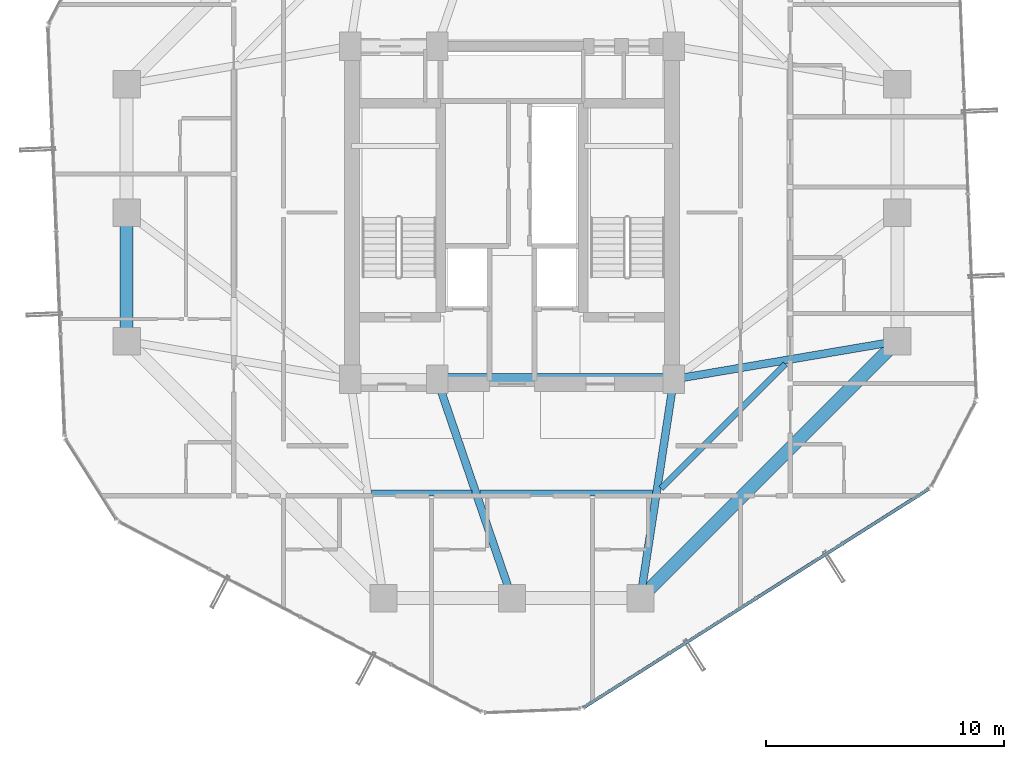
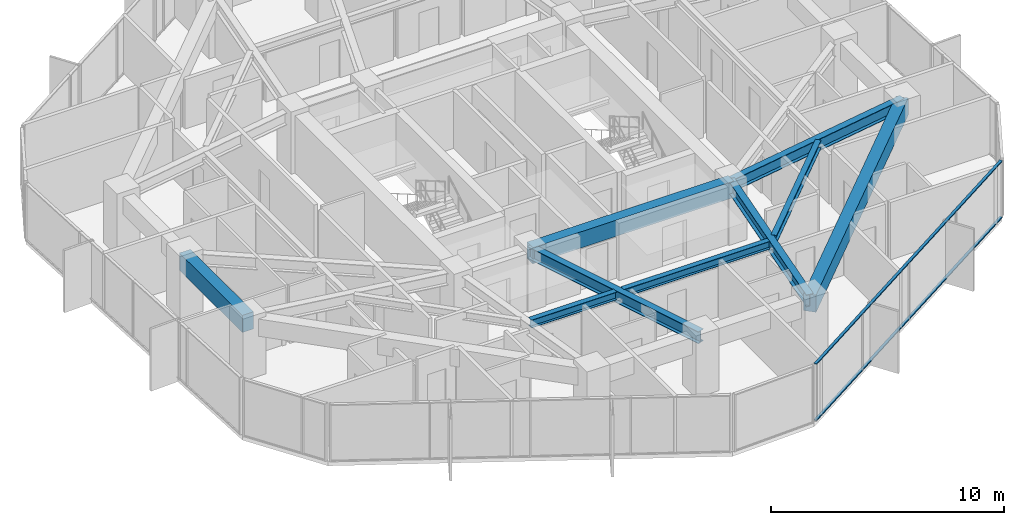
# One storey, part 8 of 32: 9 beams, 2 members, 1 element without a shape of its own.
"""IFC4 building model written with IfcOpenShell, lengths in metres."""

from ifc_helpers import new_model, si_unit, direction, frame, origin, origin_2d, place, context, subcontext, project, spatial, rectangle, hollow_rectangle, i_section, extrude, source, transform, mapped, material, layer, layer_set, material_profile, profile_set, type_object, element, aggregate, save


model = new_model("IFC4")

# Units and contexts
model_context = context("Model", 3, precision=1e-05, world=origin(), true_north=direction((0.0, 1.0)))
body_context = subcontext(model_context, "Body", "Model", "MODEL_VIEW")
ifc_project = project(units=[si_unit("LENGTHUNIT", "METRE"), si_unit("AREAUNIT", "SQUARE_METRE"), si_unit("VOLUMEUNIT", "CUBIC_METRE"), si_unit("PLANEANGLEUNIT", "RADIAN"), si_unit("MASSUNIT", "GRAM", prefix="KILO")], contexts=[model_context])

# Site, building, storey
site_placement = place(None, origin())
site = spatial("IfcSite", under=ifc_project, at=site_placement, CompositionType="ELEMENT")
building_placement = place(site_placement, origin())
building = spatial("IfcBuilding", under=site, at=building_placement, Name="Veraguas Prism Commons", CompositionType="ELEMENT")
storey_placement = place(building_placement, frame((0.0, 0.0, 136.0)))
storey = spatial("IfcBuildingStorey", under=building, at=storey_placement, Name="L38", CompositionType="ELEMENT", Elevation=136.0)

# Beams
ifc_material_1 = material(Name="Concrete C50/60", Category="concrete")
ifc_material_profile_1 = material_profile(ifc_material_1, rectangle(XDim=0.5, YDim=0.85009765625, at=origin_2d()), Name="RC500X850")
ifc_profile_set_1 = profile_set([ifc_material_profile_1], Name="Concrete C50/60")
beam_type_1 = type_object("IfcBeamType", Name="Core Coupling Beam RC 500x850", PredefinedType="BEAM", material=ifc_profile_set_1)
beam_1_placement = place(storey_placement, frame((20.85009765625, 17.0, 2.574951171875), z_axis=(1.0, 0.0, 0.0), x_axis=(0.0, 1.0, 0.0)))
element("IfcBeam", 1, at=beam_1_placement, inside=storey, type_object=beam_type_1, Name="Core Coupling Beam L38-CRS2", PredefinedType="BEAM", context=body_context, shape_type="SweptSolid", body=[
    extrude(rectangle(XDim=0.5, YDim=0.85009765625, at=origin_2d()), origin(), (0.0, 0.0, 1.0), 9.949951171875),
])
ifc_material_2 = material(Name="Steel ASTM A992 Grade 50", Category="steel")
ifc_material_profile_2 = material_profile(ifc_material_2, i_section(OverallWidth=0.260986328125, OverallDepth=0.419921875, WebThickness=0.01171875, FlangeThickness=0.019287109375, at=origin_2d()), Name="W410X114")
ifc_profile_set_2 = profile_set([ifc_material_profile_2], Name="Steel ASTM A992 Grade 50")
beam_type_2 = type_object("IfcBeamType", Name="Lower Floor Joist W410x114", PredefinedType="JOIST", material=ifc_profile_set_2)
beam_2_placement = place(storey_placement, frame((18.091796875, 12.216064453125, 2.7900390625), z_axis=(1.0, 0.0, 0.0), x_axis=(0.0, 1.0, 0.0)))
element("IfcBeam", 2, at=beam_2_placement, inside=storey, type_object=beam_type_2, Name="Composite Floor Joist L38-JS10", PredefinedType="JOIST", context=body_context, shape_type="SweptSolid", body=[
    extrude(i_section(OverallWidth=0.260986328125, OverallDepth=0.419921875, WebThickness=0.01171875, FlangeThickness=0.019287109375, at=origin_2d()), origin(), (0.0, 0.0, 1.0), 4.22509765625),
])
beam_3_placement = place(storey_placement, frame((22.6591796875, 12.216064453125, 2.7900390625), z_axis=(1.0, 0.0, 0.0), x_axis=(0.0, 1.0, 0.0)))
element("IfcBeam", 3, at=beam_3_placement, inside=storey, type_object=beam_type_2, Name="Composite Floor Joist L38-JS11", PredefinedType="JOIST", context=body_context, shape_type="SweptSolid", body=[
    extrude(i_section(OverallWidth=0.260986328125, OverallDepth=0.419921875, WebThickness=0.01171875, FlangeThickness=0.019287109375, at=origin_2d()), origin(), (0.0, 0.0, 1.0), 7.2490234375),
])
beam_4_placement = place(storey_placement, frame((30.265380859375, 12.4091796875, 2.7900390625), z_axis=(0.707090260193, 0.707123301794, 0.0), x_axis=(-0.707123301794, 0.707090260193, 0.0)))
element("IfcBeam", 4, at=beam_4_placement, inside=storey, type_object=beam_type_2, Name="Composite Floor Joist L38-JS12", PredefinedType="JOIST", context=body_context, shape_type="SweptSolid", body=[
    extrude(i_section(OverallWidth=0.260986328125, OverallDepth=0.419921875, WebThickness=0.01171875, FlangeThickness=0.019287109375, at=origin_2d()), origin(), (0.0, 0.0, 1.0), 7.388916015625),
])
ifc_material_profile_3 = material_profile(ifc_material_1, rectangle(XDim=0.550048828125, YDim=0.89990234375, at=origin_2d()), Name="RC550X900")
ifc_profile_set_3 = profile_set([ifc_material_profile_3], Name="Concrete C50/60")
beam_type_3 = type_object("IfcBeamType", Name="Perimeter Spandrel Lower RC 550x900", PredefinedType="SPANDREL", material=ifc_profile_set_3)
beam_5_placement = place(storey_placement, frame((7.800048828125, 24.0, 2.550048828125), z_axis=(0.0, -1.0, 0.0), x_axis=(1.0, 0.0, 0.0)))
element("IfcBeam", 5, at=beam_5_placement, inside=storey, type_object=beam_type_3, Name="Perimeter Spandrel Beam L38-SP08", PredefinedType="SPANDREL", context=body_context, shape_type="SweptSolid", body=[
    extrude(rectangle(XDim=0.550048828125, YDim=0.89990234375, at=origin_2d()), origin(), (0.0, 0.0, 1.0), 5.39990234375),
])
beam_6_placement = place(storey_placement, frame((29.39990234375, 7.800048828125, 2.550048828125), z_axis=(0.707106781187, 0.707106781187, 0.0), x_axis=(-0.707106781187, 0.707106781187, 0.0)))
element("IfcBeam", 6, at=beam_6_placement, inside=storey, type_object=beam_type_3, Name="Perimeter Spandrel Beam L38-SP12", PredefinedType="SPANDREL", context=body_context, shape_type="SweptSolid", body=[
    extrude(rectangle(XDim=0.550048828125, YDim=0.89990234375, at=origin_2d()), origin(), (0.0, 0.0, 1.0), 15.273681640625),
])
ifc_material_profile_4 = material_profile(ifc_material_2, i_section(OverallWidth=0.327880859375, OverallDepth=0.6220703125, WebThickness=0.015380859375, FlangeThickness=0.0244140625, at=origin_2d()), Name="W610X195")
ifc_profile_set_4 = profile_set([ifc_material_profile_4], Name="Steel ASTM A992 Grade 50")
beam_type_4 = type_object("IfcBeamType", Name="Zone 2 Radial Girder W610x195", PredefinedType="BEAM", material=ifc_profile_set_4)
beam_7_placement = place(storey_placement, frame((40.199951171875, 18.60009765625, 2.68896484375), z_axis=(-0.985819187151, -0.1678109956, 0.0), x_axis=(0.1678109956, -0.985819187151, 0.0)))
element("IfcBeam", 7, at=beam_7_placement, inside=storey, type_object=beam_type_4, Name="Radial Floor Girder L38-RD01", PredefinedType="BEAM", context=body_context, shape_type="SweptSolid", body=[
    extrude(i_section(OverallWidth=0.327880859375, OverallDepth=0.6220703125, WebThickness=0.015380859375, FlangeThickness=0.0244140625, at=origin_2d()), origin(), (0.0, 0.0, 1.0), 9.53515625),
])
beam_8_placement = place(storey_placement, frame((24.0, 7.800048828125, 2.68896484375), z_axis=(-0.323922482989, 0.946083624747, 0.0), x_axis=(-0.946083624747, -0.323922482989, 0.0)))
element("IfcBeam", 8, at=beam_8_placement, inside=storey, type_object=beam_type_4, Name="Radial Floor Girder L38-RD11", PredefinedType="BEAM", context=body_context, shape_type="SweptSolid", body=[
    extrude(i_section(OverallWidth=0.327880859375, OverallDepth=0.6220703125, WebThickness=0.015380859375, FlangeThickness=0.0244140625, at=origin_2d()), origin(), (0.0, 0.0, 1.0), 9.724365234375),
])
beam_9_placement = place(storey_placement, frame((29.39990234375, 7.800048828125, 2.68896484375), z_axis=(0.150458162136, 0.98861637729, 0.0), x_axis=(-0.98861637729, 0.150458162136, 0.0)))
element("IfcBeam", 9, at=beam_9_placement, inside=storey, type_object=beam_type_4, Name="Radial Floor Girder L38-RD12", PredefinedType="BEAM", context=body_context, shape_type="SweptSolid", body=[
    extrude(i_section(OverallWidth=0.327880859375, OverallDepth=0.6220703125, WebThickness=0.015380859375, FlangeThickness=0.0244140625, at=origin_2d()), origin(), (0.0, 0.0, 1.0), 9.305908203125),
])

# Curtain wall, members
ifc_material_3 = material(Name="Anodised aluminium EN AW-6063 T6", Category="aluminium")
ifc_layer = layer(ifc_material_3, 0.169921875, Name="Unitised Flush Curtain Wall Zone 2", Category="aluminium")
ifc_layer_set = layer_set([ifc_layer], Name="Anodised aluminium EN AW-6063 T6")
curtain_wall_type = type_object("IfcCurtainWallType", Name="Unitised Flush Curtain Wall Zone 2", PredefinedType="NOTDEFINED", material=ifc_layer_set)
curtain_wall_placement = place(storey_placement, origin())
curtain_wall = element("IfcCurtainWall", 10, at=curtain_wall_placement, inside=storey, type_object=curtain_wall_type, Name="Tower Facade Curtain Wall L38-F5", PredefinedType="NOTDEFINED")
ifc_material_profile_5 = material_profile(ifc_material_3, hollow_rectangle(XDim=0.054931640625, YDim=0.135009765625, WallThickness=0.0029296875, at=origin_2d()), Name="AL55X135X3")
ifc_profile_set_5 = profile_set([ifc_material_profile_5], Name="Anodised aluminium EN AW-6063 T6")
member_type = type_object("IfcMemberType", Name="Curtain Wall Transom Standard AL 55x135x3", PredefinedType="USERDEFINED", material=ifc_profile_set_5)
shared_shape = source(origin(), body_context, "Body", "SweptSolid", [
    extrude(hollow_rectangle(XDim=0.054931640625, YDim=0.135009765625, WallThickness=0.0029296875, at=origin_2d()), origin(), (0.0, 0.0, 1.0), 17.17431640625),
])
member_1_placement = place(storey_placement, frame((27.00634765625, 3.199462890625, 0.027587890625), z_axis=(0.844890821219, 0.53493878175, 0.0), x_axis=(0.0, 0.0, 1.0)))
member_1 = element("IfcMember", 11, at=member_1_placement, type_object=member_type, Name="CW-Z2 Transom 1", ObjectType="TRANSOM", PredefinedType="USERDEFINED", context=body_context, shape_type="MappedRepresentation", body=[
    mapped(shared_shape, transform((0.0, 0.0, 0.0), scale=1.0)),
])
member_2_placement = place(storey_placement, frame((27.00634765625, 3.199462890625, 2.972412109375), z_axis=(0.844890821219, 0.53493878175, 0.0), x_axis=(0.0, 0.0, 1.0)))
member_2 = element("IfcMember", 12, at=member_2_placement, type_object=member_type, Name="CW-Z2 Transom 2", ObjectType="TRANSOM", PredefinedType="USERDEFINED", context=body_context, shape_type="MappedRepresentation", body=[
    mapped(shared_shape, transform((0.0, 0.0, 0.0), scale=1.0)),
])
aggregate(curtain_wall, [member_1, member_2])

save(model, "model.ifc")
